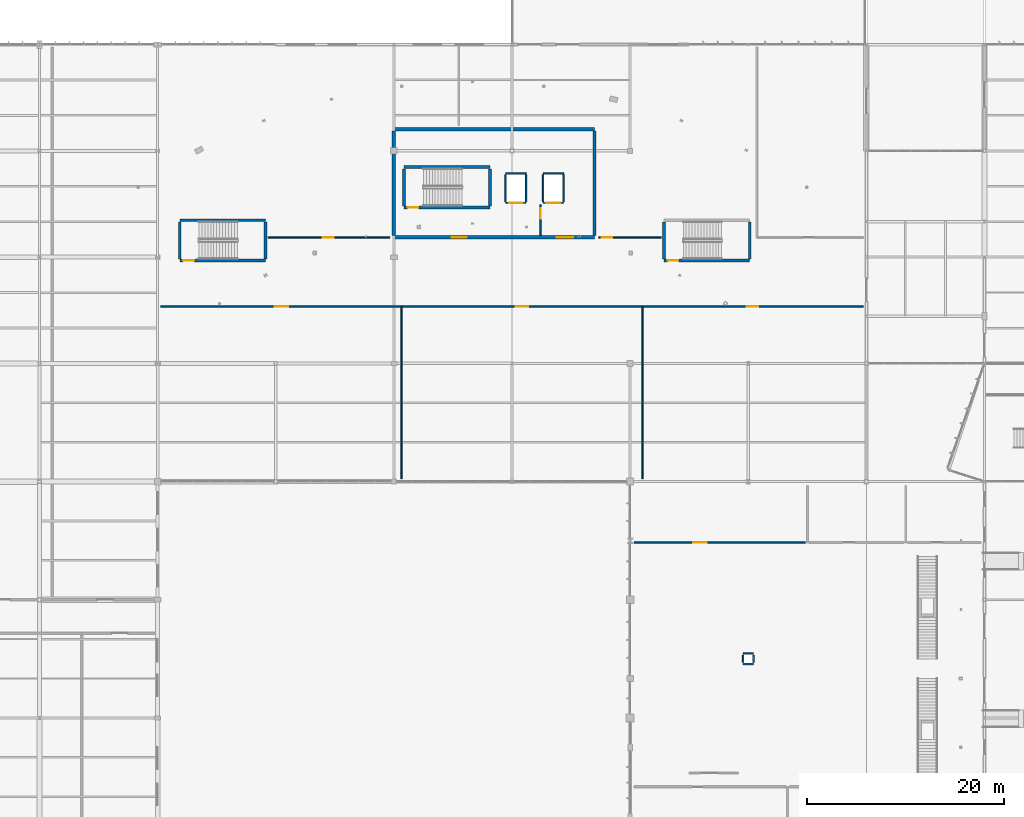
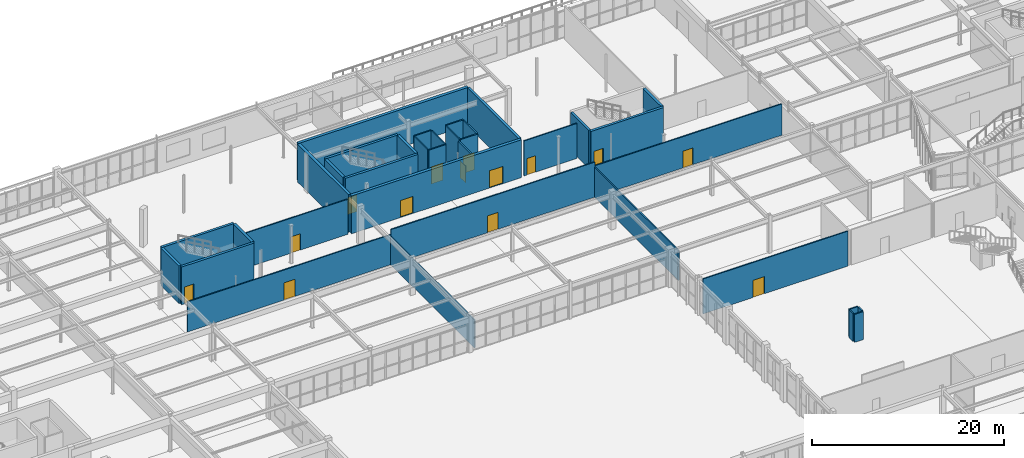
# One storey, part 165 of 199: 36 walls, 14 doors, 14 openings.
"""IFC4 building model written with IfcOpenShell, lengths in metres."""

import ifcopenshell
import ifcopenshell.guid

model = None  # the IFC model being written
_history = None  # IfcOwnerHistory: only IFC2X3 demands one
_inside = {}  # id of a spatial element -> (the spatial element, [elements in it])
_under = {}  # id of a project, library or spatial element -> (it, [spatial elements below it])
_declared = {}  # id of a project -> (the project, [libraries it declares])
_typed = {}  # id of a type object -> (the type object, [elements of that type])
_made_of = {}  # id of a material, layer set ... -> (it, [elements and type objects made of it])


def new_model(schema):
    """Start an empty IFC model of exactly this schema.

    Asked for "IFC4X3", IfcOpenShell would pick the latest addendum, in which some entities
    have other attributes; the version numbers below select the first issue.
    IFC2X3 requires an IfcOwnerHistory on every rooted entity: one is made here for all.
    """
    global model, _history
    if schema == "IFC4X3":
        model = ifcopenshell.file(schema_version=(4, 3, 0, 0))
    else:
        model = ifcopenshell.file(schema=schema)
    _inside.clear()
    _under.clear()
    _declared.clear()
    _typed.clear()
    _made_of.clear()
    _history = None
    if model.schema == "IFC2X3":
        org = make("IfcOrganization", Name="unknown")
        user = make(
            "IfcPersonAndOrganization",
            ThePerson=make("IfcPerson", FamilyName="unknown"),
            TheOrganization=org,
        )
        app = make(
            "IfcApplication",
            ApplicationDeveloper=org,
            Version="unknown",
            ApplicationFullName="unknown",
            ApplicationIdentifier="unknown",
        )
        _history = make(
            "IfcOwnerHistory",
            OwningUser=user,
            OwningApplication=app,
            ChangeAction="ADDED",
            CreationDate=0,
        )
    return model


def make(cls, **values):
    """One entity of the class cls with the attributes given. An attribute that is None is left unset."""
    return model.create_entity(
        cls, **{name: value for name, value in values.items() if value is not None}
    )


def rooted(cls, **values):
    """An entity with a GlobalId (a new one), such as an element, a storey or a relation."""
    return make(cls, GlobalId=ifcopenshell.guid.new(), OwnerHistory=_history, **values)


def si_unit(unit_type, name, prefix=None):
    """IfcSIUnit, for example si_unit("LENGTHUNIT", "METRE", prefix="MILLI")."""
    return make("IfcSIUnit", UnitType=unit_type, Prefix=prefix, Name=name)


def assignment(units):
    """IfcUnitAssignment: the units of a project."""
    return None if units is None else make("IfcUnitAssignment", Units=units)


def point(xyz):
    """IfcCartesianPoint."""
    return None if xyz is None else make("IfcCartesianPoint", Coordinates=xyz)


def direction(xyz):
    """IfcDirection."""
    return None if xyz is None else make("IfcDirection", DirectionRatios=xyz)


def frame(location, z_axis=None, x_axis=None):
    """IfcAxis2Placement3D, a coordinate frame: its origin and axes. An axis left out is left unset."""
    return make(
        "IfcAxis2Placement3D",
        Location=point(location),
        Axis=direction(z_axis),
        RefDirection=direction(x_axis),
    )


def frame_2d(location, x_axis=None):
    """IfcAxis2Placement2D, a coordinate frame in the plane: its origin and x axis."""
    return make(
        "IfcAxis2Placement2D", Location=point(location), RefDirection=direction(x_axis)
    )


def origin():
    """The frame at (0, 0, 0) with its axes left unset."""
    return frame((0.0, 0.0, 0.0))


def place(relative_to, where):
    """IfcLocalPlacement: puts the frame where relative to a parent placement (None: the world)."""
    return make(
        "IfcLocalPlacement", PlacementRelTo=relative_to, RelativePlacement=where
    )


def context(
    kind, dimensions, precision=None, world=None, true_north=None, identifier=None
):
    """IfcGeometricRepresentationContext, for example the 3D "Model" context."""
    return make(
        "IfcGeometricRepresentationContext",
        ContextIdentifier=identifier,
        ContextType=kind,
        CoordinateSpaceDimension=dimensions,
        Precision=precision,
        WorldCoordinateSystem=world,
        TrueNorth=true_north,
    )


def subcontext(parent, identifier, kind, view, scale=None):
    """IfcGeometricRepresentationSubContext, for example "Body" below "Model"."""
    return make(
        "IfcGeometricRepresentationSubContext",
        ContextIdentifier=identifier,
        ContextType=kind,
        ParentContext=parent,
        TargetScale=scale,
        TargetView=view,
    )


def project(units=None, contexts=None):
    """IfcProject with its units and contexts."""
    return rooted(
        "IfcProject",
        Name="project",
        RepresentationContexts=contexts,
        UnitsInContext=assignment(units),
    )


def spatial(cls, under=None, at=None, **own):
    """A site, building, storey or space (cls), placed at a placement, below another one or the project."""
    s = rooted(cls, ObjectPlacement=at, **own)
    if under is not None:
        _under.setdefault(under.id(), (under, []))[1].append(s)
    return s


def profile(cls, at=None, kind="AREA", **sizes):
    """A parametric profile (cls). Its sizes go by their IFC names, for example OverallWidth=200.0."""
    return make(cls, ProfileType=kind, Position=at, **sizes)


def rectangle(**sizes):
    """IfcRectangleProfileDef."""
    return profile("IfcRectangleProfileDef", **sizes)


def extrude(swept, where, along, depth):
    """IfcExtrudedAreaSolid: the profile swept, set in the frame where, extruded along a direction by depth."""
    return make(
        "IfcExtrudedAreaSolid",
        SweptArea=swept,
        Position=where,
        ExtrudedDirection=direction(along),
        Depth=depth,
    )


def shape(context_of_items, identifier, shape_type, items):
    """IfcShapeRepresentation: the items that make up one representation, for example the "Body"."""
    return make(
        "IfcShapeRepresentation",
        ContextOfItems=context_of_items,
        RepresentationIdentifier=identifier,
        RepresentationType=shape_type,
        Items=items,
    )


def material(Name=None, Category=None):
    """IfcMaterial."""
    return make("IfcMaterial", Name=Name, Category=Category)


def layer(
    of_material, thickness, ventilated=None, Name=None, Category=None, Priority=None
):
    """IfcMaterialLayer: one layer of a wall or slab, of a material (None: an air gap)."""
    return make(
        "IfcMaterialLayer",
        Material=of_material,
        LayerThickness=thickness,
        IsVentilated=ventilated,
        Name=Name,
        Category=Category,
        Priority=Priority,
    )


def layer_set(layers, Name=None):
    """IfcMaterialLayerSet."""
    return make("IfcMaterialLayerSet", MaterialLayers=layers, LayerSetName=Name)


def made_of(thing, what):
    """Note that an element or type object is made of a material, layer set ...; save() writes the relation."""
    if what is not None:
        _made_of.setdefault(what.id(), (what, []))[1].append(thing)
    return thing


def type_object(cls, material=None, **own):
    """A type object (cls), such as IfcWallType, which elements share."""
    return made_of(rooted(cls, **own), material)


def element(
    cls,
    number,
    at=None,
    inside=None,
    cuts=None,
    type_object=None,
    material=None,
    context=None,
    identifier="Body",
    shape_type=None,
    held_by="IfcProductDefinitionShape",
    body=None,
    shapes=None,
    **own,
):
    """One element of the class cls, such as IfcWall. Its Tag is "e" and its number.

    at: its placement. inside: the storey or other place that contains it. cuts: it is an
    opening in that element (IfcRelVoidsElement). A single representation is given by context,
    identifier, shape_type and body (its items); several are given by shapes. held_by: the class
    of the entity that holds the representations. save() writes the other relations.
    """
    e = rooted(cls, Tag="e%d" % number, ObjectPlacement=at, **own)
    if body is not None:
        shapes = [shape(context, identifier, shape_type, body)]
    if shapes is not None:
        e.Representation = make(held_by, Representations=shapes)
    if inside is not None:
        _inside.setdefault(inside.id(), (inside, []))[1].append(e)
    if cuts is not None:
        rooted(
            "IfcRelVoidsElement", RelatingBuildingElement=cuts, RelatedOpeningElement=e
        )
    if type_object is not None:
        _typed.setdefault(type_object.id(), (type_object, []))[1].append(e)
    return made_of(e, material)


def fill(opening, filler):
    """IfcRelFillsElement: the door or window that sits in an opening."""
    return rooted(
        "IfcRelFillsElement",
        RelatingOpeningElement=opening,
        RelatedBuildingElement=filler,
    )


def aggregate(whole, parts):
    """IfcRelAggregates: a whole, such as a stair, and the parts it consists of."""
    return rooted("IfcRelAggregates", RelatingObject=whole, RelatedObjects=parts)


def save(model, path):
    """Write the relations noted so far, then the file.

    IfcRelAggregates (storeys below a building ...), IfcRelContainedInSpatialStructure (elements
    in a storey), IfcRelDefinesByType, IfcRelAssociatesMaterial and IfcRelDeclares: one each for
    every whole, place, type object, material and project.
    """
    for whole, parts in _under.values():
        aggregate(whole, parts)
    for where, things in _inside.values():
        rooted(
            "IfcRelContainedInSpatialStructure",
            RelatedElements=things,
            RelatingStructure=where,
        )
    for kind, things in _typed.values():
        rooted("IfcRelDefinesByType", RelatedObjects=things, RelatingType=kind)
    for what, things in _made_of.values():
        rooted("IfcRelAssociatesMaterial", RelatedObjects=things, RelatingMaterial=what)
    for by, libraries in _declared.values():
        rooted("IfcRelDeclares", RelatingContext=by, RelatedDefinitions=libraries)
    model.write(path)


model = new_model("IFC4")

# Units and contexts
model_context = context("Model", 3, precision=1e-05, world=origin(), true_north=direction((0.0, 1.0)))
body_context = subcontext(model_context, "Body", "Model", "MODEL_VIEW")
ifc_project = project(units=[si_unit("LENGTHUNIT", "METRE"), si_unit("AREAUNIT", "SQUARE_METRE"), si_unit("VOLUMEUNIT", "CUBIC_METRE"), si_unit("PLANEANGLEUNIT", "RADIAN"), si_unit("MASSUNIT", "GRAM", prefix="KILO")], contexts=[model_context])

# Site, building, storey
site_placement = place(None, origin())
site = spatial("IfcSite", under=ifc_project, at=site_placement, CompositionType="ELEMENT")
building_placement = place(site_placement, origin())
building = spatial("IfcBuilding", under=site, at=building_placement, Name="Tarnwether General Hospital", CompositionType="ELEMENT")
storey_placement = place(building_placement, origin())
storey = spatial("IfcBuildingStorey", under=building, at=storey_placement, Name="L00", CompositionType="ELEMENT", Elevation=0.0)

# Wall, opening, door
ifc_material_1 = material(Name="Gypsum plasterboard")
ifc_layer_1 = layer(ifc_material_1, 0.139892578125)
ifc_layer_set_1 = layer_set([ifc_layer_1], Name="Gypsum plasterboard")
wall_type_1 = type_object("IfcWallType", Name="WL-PT140", PredefinedType="PARTITIONING", material=ifc_layer_set_1)
wall_1_placement = place(storey_placement, frame((108.39990234375, 75.39990234375, 0.0), z_axis=(0.0, 0.0, 1.0), x_axis=(1.0, 0.0, 0.0)))
wall_1 = element("IfcWall", 1, at=wall_1_placement, inside=storey, type_object=wall_type_1, Name="Interior Partition PT-L00-0058", PredefinedType="PARTITIONING", context=body_context, shape_type="SweptSolid", body=[
    extrude(rectangle(XDim=17.400146484375, YDim=0.139892578125, at=frame_2d((8.7001953125, 0.0))), origin(), (0.0, 0.0, 1.0), 4.445068359375),
])
opening_1_placement = place(wall_1_placement, frame((6.0, 0.0, 0.0)))
opening_1 = element("IfcOpeningElement", 2, at=opening_1_placement, cuts=wall_1, Name="Opening D-02", PredefinedType="OPENING", context=body_context, shape_type="SweptSolid", body=[
    extrude(rectangle(XDim=1.360107421875, YDim=2.179931640625, at=frame_2d((0.68017578125, 1.08984375))), frame((0.0, 0.080078125, 0.0), z_axis=(0.0, -1.0, 0.0), x_axis=(1.0, 0.0, 0.0)), (0.0, 0.0, 1.0), 0.159912109375),
])
ifc_material_2 = material(Name="Anodised aluminium", Category="aluminium")
door_type_1 = type_object("IfcDoorType", Name="DR-IN02", OperationType="NOTDEFINED", PredefinedType="DOOR", material=ifc_material_2)
door_1_placement = place(opening_1_placement, origin())
door_1 = element("IfcDoor", 3, at=door_1_placement, inside=storey, type_object=door_type_1, Name="Interior Door DR-L00-0034", OperationType="SINGLE_SWING_RIGHT", OverallHeight=2.179931640625, OverallWidth=1.360107421875, PredefinedType="DOOR", context=body_context, shape_type="SweptSolid", body=[
    extrude(rectangle(XDim=1.360107421875, YDim=2.179931640625, at=frame_2d((0.68017578125, 1.08984375))), frame((0.0, 0.02490234375, 0.0), z_axis=(0.0, -1.0, 0.0), x_axis=(1.0, 0.0, 0.0)), (0.0, 0.0, 1.0), 0.050048828125),
])
fill(opening_1, door_1)

wall_2_placement = place(storey_placement, frame((60.300048828125, 99.39990234375, 0.0), z_axis=(0.0, 0.0, 1.0), x_axis=(1.0, 0.0, 0.0)))
wall_2 = element("IfcWall", 4, at=wall_2_placement, inside=storey, type_object=wall_type_1, Name="Interior Partition PT-L00-0120", PredefinedType="PARTITIONING", context=body_context, shape_type="SweptSolid", body=[
    extrude(rectangle(XDim=24.47998046875, YDim=0.139892578125, at=frame_2d((12.239990234375, 0.0))), origin(), (0.0, 0.0, 1.0), 3.818115234375),
])
opening_2_placement = place(wall_2_placement, frame((11.590087890625, 0.0, 0.0)))
opening_2 = element("IfcOpeningElement", 5, at=opening_2_placement, cuts=wall_2, Name="Opening D-02", PredefinedType="OPENING", context=body_context, shape_type="SweptSolid", body=[
    extrude(rectangle(XDim=1.360107421875, YDim=2.179931640625, at=frame_2d((0.68017578125, 1.08984375))), frame((0.0, 0.080078125, 0.0), z_axis=(0.0, -1.0, 0.0), x_axis=(1.0, 0.0, 0.0)), (0.0, 0.0, 1.0), 0.159912109375),
])
door_2_placement = place(opening_2_placement, origin())
door_2 = element("IfcDoor", 6, at=door_2_placement, inside=storey, type_object=door_type_1, Name="Interior Door DR-L00-0067", OperationType="SINGLE_SWING_LEFT", OverallHeight=2.179931640625, OverallWidth=1.360107421875, PredefinedType="DOOR", context=body_context, shape_type="SweptSolid", body=[
    extrude(rectangle(XDim=1.360107421875, YDim=2.179931640625, at=frame_2d((0.68017578125, 1.08984375))), frame((0.0, 0.02490234375, 0.0), z_axis=(0.0, -1.0, 0.0), x_axis=(1.0, 0.0, 0.0)), (0.0, 0.0, 1.0), 0.050048828125),
])
fill(opening_2, door_2)

# Wall
wall_3_placement = place(storey_placement, frame((84.780029296875, 81.89990234375, 0.0), z_axis=(0.0, 0.0, 1.0), x_axis=(0.0, 1.0, 0.0)))
element("IfcWall", 7, at=wall_3_placement, inside=storey, type_object=wall_type_1, Name="Interior Partition PT-L00-0121", PredefinedType="PARTITIONING", context=body_context, shape_type="SweptSolid", body=[
    extrude(rectangle(XDim=17.5, YDim=0.139892578125, at=frame_2d((8.75, 0.0))), origin(), (0.0, 0.0, 1.0), 3.530029296875),
])

# Wall, opening, door
wall_4_placement = place(storey_placement, frame((84.780029296875, 99.39990234375, 0.0), z_axis=(0.0, 0.0, 1.0), x_axis=(1.0, 0.0, 0.0)))
wall_4 = element("IfcWall", 8, at=wall_4_placement, inside=storey, type_object=wall_type_1, Name="Interior Partition PT-L00-0122", PredefinedType="PARTITIONING", context=body_context, shape_type="SweptSolid", body=[
    extrude(rectangle(XDim=24.47998046875, YDim=0.139892578125, at=frame_2d((12.239990234375, 0.0))), origin(), (0.0, 0.0, 1.0), 4.445068359375),
])
opening_3_placement = place(wall_4_placement, frame((11.590087890625, 0.0, 0.0)))
opening_3 = element("IfcOpeningElement", 9, at=opening_3_placement, cuts=wall_4, Name="Opening D-04", PredefinedType="OPENING", context=body_context, shape_type="SweptSolid", body=[
    extrude(rectangle(XDim=1.260009765625, YDim=2.139892578125, at=frame_2d((0.6298828125, 1.06982421875))), frame((0.0, 0.080078125, 0.0), z_axis=(0.0, -1.0, 0.0), x_axis=(1.0, 0.0, 0.0)), (0.0, 0.0, 1.0), 0.159912109375),
])
ifc_material_3 = material(Name="Anodised aluminium", Category="aluminium")
door_type_2 = type_object("IfcDoorType", Name="DR-IN04", OperationType="NOTDEFINED", PredefinedType="DOOR", material=ifc_material_3)
door_3_placement = place(opening_3_placement, origin())
door_3 = element("IfcDoor", 10, at=door_3_placement, inside=storey, type_object=door_type_2, Name="Interior Door DR-L00-0068", OperationType="SINGLE_SWING_RIGHT", OverallHeight=2.139892578125, OverallWidth=1.260009765625, PredefinedType="DOOR", context=body_context, shape_type="SweptSolid", body=[
    extrude(rectangle(XDim=1.260009765625, YDim=2.139892578125, at=frame_2d((0.6298828125, 1.06982421875))), frame((0.0, 0.02490234375, 0.0), z_axis=(0.0, -1.0, 0.0), x_axis=(1.0, 0.0, 0.0)), (0.0, 0.0, 1.0), 0.050048828125),
])
fill(opening_3, door_3)

# Wall
wall_5_placement = place(storey_placement, frame((109.260009765625, 81.89990234375, 0.0), z_axis=(0.0, 0.0, 1.0), x_axis=(0.0, 1.0, 0.0)))
element("IfcWall", 11, at=wall_5_placement, inside=storey, type_object=wall_type_1, Name="Interior Partition PT-L00-0123", PredefinedType="PARTITIONING", context=body_context, shape_type="SweptSolid", body=[
    extrude(rectangle(XDim=17.5, YDim=0.139892578125, at=frame_2d((8.75, 0.0))), origin(), (0.0, 0.0, 1.0), 3.818115234375),
])

# Wall, opening, door
wall_6_placement = place(storey_placement, frame((109.260009765625, 99.39990234375, 0.0), z_axis=(0.0, 0.0, 1.0), x_axis=(1.0, 0.0, 0.0)))
wall_6 = element("IfcWall", 12, at=wall_6_placement, inside=storey, type_object=wall_type_1, Name="Interior Partition PT-L00-0124", PredefinedType="PARTITIONING", context=body_context, shape_type="SweptSolid", body=[
    extrude(rectangle(XDim=22.43994140625, YDim=0.139892578125, at=frame_2d((11.219970703125, 0.0))), origin(), (0.0, 0.0, 1.0), 3.972900390625),
])
opening_4_placement = place(wall_6_placement, frame((10.570068359375, 0.0, 0.0)))
opening_4 = element("IfcOpeningElement", 13, at=opening_4_placement, cuts=wall_6, Name="Opening D-05", PredefinedType="OPENING", context=body_context, shape_type="SweptSolid", body=[
    extrude(rectangle(XDim=1.199951171875, YDim=2.1201171875, at=frame_2d((0.60009765625, 1.06005859375))), frame((0.0, 0.080078125, 0.0), z_axis=(0.0, -1.0, 0.0), x_axis=(1.0, 0.0, 0.0)), (0.0, 0.0, 1.0), 0.159912109375),
])
ifc_material_4 = material(Name="Anodised aluminium", Category="aluminium")
door_type_3 = type_object("IfcDoorType", Name="DR-IN05", OperationType="NOTDEFINED", PredefinedType="DOOR", material=ifc_material_4)
door_4_placement = place(opening_4_placement, origin())
door_4 = element("IfcDoor", 14, at=door_4_placement, inside=storey, type_object=door_type_3, Name="Interior Door DR-L00-0069", OperationType="SINGLE_SWING_LEFT", OverallHeight=2.1201171875, OverallWidth=1.199951171875, PredefinedType="DOOR", context=body_context, shape_type="SweptSolid", body=[
    extrude(rectangle(XDim=1.199951171875, YDim=2.1201171875, at=frame_2d((0.60009765625, 1.06005859375))), frame((0.0, 0.02490234375, 0.0), z_axis=(0.0, -1.0, 0.0), x_axis=(1.0, 0.0, 0.0)), (0.0, 0.0, 1.0), 0.050048828125),
])
fill(opening_4, door_4)

wall_7_placement = place(storey_placement, frame((71.25, 106.39990234375, 0.0), z_axis=(0.0, 0.0, 1.0), x_axis=(1.0, 0.0, 0.0)))
wall_7 = element("IfcWall", 15, at=wall_7_placement, inside=storey, type_object=wall_type_1, Name="Interior Partition PT-L00-0125", PredefinedType="PARTITIONING", context=body_context, shape_type="SweptSolid", body=[
    extrude(rectangle(XDim=12.35009765625, YDim=0.139892578125, at=frame_2d((6.175048828125, 0.0))), origin(), (0.0, 0.0, 1.0), 4.445068359375),
])
opening_5_placement = place(wall_7_placement, frame((5.52490234375, 0.0, 0.0)))
opening_5 = element("IfcOpeningElement", 16, at=opening_5_placement, cuts=wall_7, Name="Opening D-07", PredefinedType="OPENING", context=body_context, shape_type="SweptSolid", body=[
    extrude(rectangle(XDim=1.1201171875, YDim=2.080078125, at=frame_2d((0.56005859375, 1.0400390625))), frame((0.0, 0.080078125, 0.0), z_axis=(0.0, -1.0, 0.0), x_axis=(1.0, 0.0, 0.0)), (0.0, 0.0, 1.0), 0.159912109375),
])
ifc_material_5 = material(Name="Anodised aluminium", Category="aluminium")
door_type_4 = type_object("IfcDoorType", Name="DR-IN07", OperationType="NOTDEFINED", PredefinedType="DOOR", material=ifc_material_5)
door_5_placement = place(opening_5_placement, origin())
door_5 = element("IfcDoor", 17, at=door_5_placement, inside=storey, type_object=door_type_4, Name="Interior Door DR-L00-0070", OperationType="SINGLE_SWING_RIGHT", OverallHeight=2.080078125, OverallWidth=1.1201171875, PredefinedType="DOOR", context=body_context, shape_type="SweptSolid", body=[
    extrude(rectangle(XDim=1.1201171875, YDim=2.080078125, at=frame_2d((0.56005859375, 1.0400390625))), frame((0.0, 0.02490234375, 0.0), z_axis=(0.0, -1.0, 0.0), x_axis=(1.0, 0.0, 0.0)), (0.0, 0.0, 1.0), 0.050048828125),
])
fill(opening_5, door_5)

wall_8_placement = place(storey_placement, frame((104.800048828125, 106.39990234375, 0.0), z_axis=(0.0, 0.0, 1.0), x_axis=(1.0, 0.0, 0.0)))
wall_8 = element("IfcWall", 18, at=wall_8_placement, inside=storey, type_object=wall_type_1, Name="Interior Partition PT-L00-0127", PredefinedType="PARTITIONING", context=body_context, shape_type="SweptSolid", body=[
    extrude(rectangle(XDim=6.349853515625, YDim=0.139892578125, at=frame_2d((3.1748046875, 0.0))), origin(), (0.0, 0.0, 1.0), 4.445068359375),
])
opening_6_placement = place(wall_8_placement, frame((0.320068359375, 0.0, 0.0)))
opening_6 = element("IfcOpeningElement", 19, at=opening_6_placement, cuts=wall_8, Name="Opening D-08", PredefinedType="OPENING", context=body_context, shape_type="SweptSolid", body=[
    extrude(rectangle(XDim=1.06005859375, YDim=2.10009765625, at=frame_2d((0.530029296875, 1.050048828125))), frame((0.0, 0.080078125, 0.0), z_axis=(0.0, -1.0, 0.0), x_axis=(1.0, 0.0, 0.0)), (0.0, 0.0, 1.0), 0.159912109375),
])
ifc_material_6 = material(Name="Anodised aluminium", Category="aluminium")
door_type_5 = type_object("IfcDoorType", Name="DR-IN08", OperationType="NOTDEFINED", PredefinedType="DOOR", material=ifc_material_6)
door_6_placement = place(opening_6_placement, origin())
door_6 = element("IfcDoor", 20, at=door_6_placement, inside=storey, type_object=door_type_5, Name="Interior Door DR-L00-0071", OperationType="SINGLE_SWING_LEFT", OverallHeight=2.10009765625, OverallWidth=1.06005859375, PredefinedType="DOOR", context=body_context, shape_type="SweptSolid", body=[
    extrude(rectangle(XDim=1.06005859375, YDim=2.10009765625, at=frame_2d((0.530029296875, 1.050048828125))), frame((0.0, 0.02490234375, 0.0), z_axis=(0.0, -1.0, 0.0), x_axis=(1.0, 0.0, 0.0)), (0.0, 0.0, 1.0), 0.050048828125),
])
fill(opening_6, door_6)

# Walls
ifc_material_7 = material(Name="Gypsum plasterboard")
ifc_layer_2 = layer(ifc_material_7, 0.159912109375)
ifc_layer_set_2 = layer_set([ifc_layer_2], Name="Gypsum plasterboard")
wall_type_2 = type_object("IfcWallType", Name="WL-PT160", PredefinedType="PARTITIONING", material=ifc_layer_set_2)
for number, where, z_axis, x_axis, name in (
    (21, (119.469970703125, 63.070068359375, 0.0), (0.0, 0.0, 1.0), (1.0, 0.0, 0.0), "Service Riser Enclosure SL-L00-V1W S"),
    (22, (120.530029296875, 64.1298828125, 0.0), (0.0, 0.0, 1.0), (-1.0, 0.0, 0.0), "Service Riser Enclosure SL-L00-V1W N"),
):
    element("IfcWall", number, at=place(storey_placement, frame(where, z_axis=z_axis, x_axis=x_axis)), inside=storey, type_object=wall_type_2, Name=name, PredefinedType="PARTITIONING", context=body_context, shape_type="SweptSolid", body=[
        extrude(rectangle(XDim=1.06005859375, YDim=0.159912109375, at=frame_2d((0.530029296875, 0.0))), origin(), (0.0, 0.0, 1.0), 3.550048828125),
    ])
for number, where, z_axis, x_axis, name in (
    (23, (119.469970703125, 63.969970703125, 0.0), (0.0, 0.0, 1.0), (0.0, -1.0, 0.0), "Service Riser Enclosure SL-L00-V1W W"),
    (24, (120.530029296875, 63.22998046875, 0.0), (0.0, 0.0, 1.0), (0.0, 1.0, 0.0), "Service Riser Enclosure SL-L00-V1W E"),
):
    element("IfcWall", number, at=place(storey_placement, frame(where, z_axis=z_axis, x_axis=x_axis)), inside=storey, type_object=wall_type_2, Name=name, PredefinedType="PARTITIONING", context=body_context, shape_type="SweptSolid", body=[
        extrude(rectangle(XDim=0.739990234375, YDim=0.159912109375, at=frame_2d((0.3701171875, 0.0))), origin(), (0.0, 0.0, 1.0), 3.550048828125),
    ])

# Wall, opening, door
wall_9_placement = place(storey_placement, frame((95.360107421875, 109.909912109375, 0.0), z_axis=(0.0, 0.0, 1.0), x_axis=(1.0, 0.0, 0.0)))
wall_9 = element("IfcWall", 25, at=wall_9_placement, inside=storey, type_object=wall_type_2, Name="Lift L-01 Shaft Wall LSH-L-01-L00-S", PredefinedType="PARTITIONING", context=body_context, shape_type="SweptSolid", body=[
    extrude(rectangle(XDim=2.079833984375, YDim=0.159912109375, at=frame_2d((1.0400390625, 0.0))), origin(), (0.0, 0.0, 1.0), 4.445068359375),
])
opening_7_placement = place(wall_9_placement, frame((0.340087890625, 0.0, 0.0)))
opening_7 = element("IfcOpeningElement", 26, at=opening_7_placement, cuts=wall_9, Name="Opening LD-01", PredefinedType="OPENING", context=body_context, shape_type="SweptSolid", body=[
    extrude(rectangle(XDim=1.39990234375, YDim=2.199951171875, at=frame_2d((0.699951171875, 1.10009765625))), frame((0.0, 0.08984375, 0.0), z_axis=(0.0, -1.0, 0.0), x_axis=(1.0, 0.0, 0.0)), (0.0, 0.0, 1.0), 0.179931640625),
])
ifc_material_8 = material(Name="Anodised aluminium", Category="aluminium")
door_type_6 = type_object("IfcDoorType", Name="DR-LD01", OperationType="NOTDEFINED", PredefinedType="DOOR", material=ifc_material_8)
door_7_placement = place(opening_7_placement, origin())
door_7 = element("IfcDoor", 27, at=door_7_placement, inside=storey, type_object=door_type_6, Name="Lift L-01 Sliding Landing Door L00", OperationType="SLIDING_TO_RIGHT", OverallHeight=2.199951171875, OverallWidth=1.39990234375, PredefinedType="DOOR", context=body_context, shape_type="SweptSolid", body=[
    extrude(rectangle(XDim=1.39990234375, YDim=2.199951171875, at=frame_2d((0.699951171875, 1.10009765625))), frame((0.0, 0.02490234375, 0.0), z_axis=(0.0, -1.0, 0.0), x_axis=(1.0, 0.0, 0.0)), (0.0, 0.0, 1.0), 0.050048828125),
])
fill(opening_7, door_7)

# Walls
wall_10_placement = place(storey_placement, frame((97.43994140625, 112.889892578125, 0.0), z_axis=(0.0, 0.0, 1.0), x_axis=(-1.0, 0.0, 0.0)))
element("IfcWall", 28, at=wall_10_placement, inside=storey, type_object=wall_type_2, Name="Lift L-01 Shaft Wall LSH-L-01-L00-N", PredefinedType="PARTITIONING", context=body_context, shape_type="SweptSolid", body=[
    extrude(rectangle(XDim=2.079833984375, YDim=0.159912109375, at=frame_2d((1.0400390625, 0.0))), origin(), (0.0, 0.0, 1.0), 4.445068359375),
])
for number, where, z_axis, x_axis, name in (
    (29, (95.360107421875, 112.7900390625, 0.0), (0.0, 0.0, 1.0), (0.0, -1.0, 0.0), "Lift L-01 Shaft Wall LSH-L-01-L00-W"),
    (30, (97.43994140625, 110.010009765625, 0.0), (0.0, 0.0, 1.0), (0.0, 1.0, 0.0), "Lift L-01 Shaft Wall LSH-L-01-L00-E"),
):
    element("IfcWall", number, at=place(storey_placement, frame(where, z_axis=z_axis, x_axis=x_axis)), inside=storey, type_object=wall_type_2, Name=name, PredefinedType="PARTITIONING", context=body_context, shape_type="SweptSolid", body=[
        extrude(rectangle(XDim=2.780029296875, YDim=0.159912109375, at=frame_2d((1.39013671875, 0.0))), origin(), (0.0, 0.0, 1.0), 4.445068359375),
    ])

# Wall, opening, door
wall_11_placement = place(storey_placement, frame((99.159912109375, 109.909912109375, 0.0), z_axis=(0.0, 0.0, 1.0), x_axis=(1.0, 0.0, 0.0)))
wall_11 = element("IfcWall", 31, at=wall_11_placement, inside=storey, type_object=wall_type_2, Name="Lift L-03 Shaft Wall LSH-L-03-L00-S", PredefinedType="PARTITIONING", context=body_context, shape_type="SweptSolid", body=[
    extrude(rectangle(XDim=2.080078125, YDim=0.159912109375, at=frame_2d((1.0400390625, 0.0))), origin(), (0.0, 0.0, 1.0), 4.445068359375),
])
opening_8_placement = place(wall_11_placement, frame((0.340087890625, 0.0, 0.0)))
opening_8 = element("IfcOpeningElement", 32, at=opening_8_placement, cuts=wall_11, Name="Opening LD-01", PredefinedType="OPENING", context=body_context, shape_type="SweptSolid", body=[
    extrude(rectangle(XDim=1.39990234375, YDim=2.199951171875, at=frame_2d((0.699951171875, 1.10009765625))), frame((0.0, 0.08984375, 0.0), z_axis=(0.0, -1.0, 0.0), x_axis=(1.0, 0.0, 0.0)), (0.0, 0.0, 1.0), 0.179931640625),
])
door_8_placement = place(opening_8_placement, origin())
door_8 = element("IfcDoor", 33, at=door_8_placement, inside=storey, type_object=door_type_6, Name="Lift L-03 Sliding Landing Door L00", OperationType="SLIDING_TO_RIGHT", OverallHeight=2.199951171875, OverallWidth=1.39990234375, PredefinedType="DOOR", context=body_context, shape_type="SweptSolid", body=[
    extrude(rectangle(XDim=1.39990234375, YDim=2.199951171875, at=frame_2d((0.699951171875, 1.10009765625))), frame((0.0, 0.02490234375, 0.0), z_axis=(0.0, -1.0, 0.0), x_axis=(1.0, 0.0, 0.0)), (0.0, 0.0, 1.0), 0.050048828125),
])
fill(opening_8, door_8)

# Walls
wall_12_placement = place(storey_placement, frame((101.239990234375, 112.889892578125, 0.0), z_axis=(0.0, 0.0, 1.0), x_axis=(-1.0, 0.0, 0.0)))
element("IfcWall", 34, at=wall_12_placement, inside=storey, type_object=wall_type_2, Name="Lift L-03 Shaft Wall LSH-L-03-L00-N", PredefinedType="PARTITIONING", context=body_context, shape_type="SweptSolid", body=[
    extrude(rectangle(XDim=2.080078125, YDim=0.159912109375, at=frame_2d((1.0400390625, 0.0))), origin(), (0.0, 0.0, 1.0), 4.445068359375),
])
for number, where, z_axis, x_axis, name in (
    (35, (99.159912109375, 112.7900390625, 0.0), (0.0, 0.0, 1.0), (0.0, -1.0, 0.0), "Lift L-03 Shaft Wall LSH-L-03-L00-W"),
    (36, (101.239990234375, 110.010009765625, 0.0), (0.0, 0.0, 1.0), (0.0, 1.0, 0.0), "Lift L-03 Shaft Wall LSH-L-03-L00-E"),
):
    element("IfcWall", number, at=place(storey_placement, frame(where, z_axis=z_axis, x_axis=x_axis)), inside=storey, type_object=wall_type_2, Name=name, PredefinedType="PARTITIONING", context=body_context, shape_type="SweptSolid", body=[
        extrude(rectangle(XDim=2.780029296875, YDim=0.159912109375, at=frame_2d((1.39013671875, 0.0))), origin(), (0.0, 0.0, 1.0), 4.445068359375),
    ])

# Wall, opening, door
wall_13_placement = place(storey_placement, frame((98.89990234375, 106.64990234375, 0.0), z_axis=(0.0, 0.0, 1.0), x_axis=(0.0, 1.0, 0.0)))
wall_13 = element("IfcWall", 37, at=wall_13_placement, inside=storey, type_object=wall_type_2, Name="Firefighting Lobby Divider K1 L00", PredefinedType="PARTITIONING", context=body_context, shape_type="SweptSolid", body=[
    extrude(rectangle(XDim=3.050048828125, YDim=0.159912109375, at=frame_2d((1.52490234375, 0.0))), origin(), (0.0, 0.0, 1.0), 4.445068359375),
])
opening_9_placement = place(wall_13_placement, frame((1.6298828125, 0.0, 0.0)))
opening_9 = element("IfcOpeningElement", 38, at=opening_9_placement, cuts=wall_13, Name="Opening FD-06", PredefinedType="OPENING", context=body_context, shape_type="SweptSolid", body=[
    extrude(rectangle(XDim=1.10009765625, YDim=2.14990234375, at=frame_2d((0.550048828125, 1.074951171875))), frame((0.0, 0.08984375, 0.0), z_axis=(0.0, -1.0, 0.0), x_axis=(1.0, 0.0, 0.0)), (0.0, 0.0, 1.0), 0.179931640625),
])
ifc_material_9 = material(Name="Anodised aluminium", Category="aluminium")
door_type_7 = type_object("IfcDoorType", Name="DR-FD06", OperationType="NOTDEFINED", PredefinedType="DOOR", material=ifc_material_9)
door_9_placement = place(opening_9_placement, origin())
door_9 = element("IfcDoor", 39, at=door_9_placement, inside=storey, type_object=door_type_7, Name="Core K1 Inter-Lobby Smoke Door L00", OperationType="SINGLE_SWING_RIGHT", OverallHeight=2.14990234375, OverallWidth=1.10009765625, PredefinedType="DOOR", context=body_context, shape_type="SweptSolid", body=[
    extrude(rectangle(XDim=1.10009765625, YDim=2.14990234375, at=frame_2d((0.550048828125, 1.074951171875))), frame((0.0, 0.02490234375, 0.0), z_axis=(0.0, -1.0, 0.0), x_axis=(1.0, 0.0, 0.0)), (0.0, 0.0, 1.0), 0.050048828125),
])
fill(opening_9, door_9)

# Wall
ifc_material_10 = material(Name="Concrete 50 MPa", Category="concrete")
ifc_layer_3 = layer(ifc_material_10, 0.300048828125)
ifc_layer_set_3 = layer_set([ifc_layer_3], Name="Concrete 50 MPa")
wall_type_3 = type_object("IfcWallType", Name="WL-SW300", PredefinedType="SHEAR", material=ifc_layer_set_3)
wall_14_placement = place(storey_placement, frame((104.39990234375, 117.199951171875, 0.0), z_axis=(0.0, 0.0, 1.0), x_axis=(0.0, -1.0, 0.0)))
element("IfcWall", 40, at=wall_14_placement, inside=storey, type_object=wall_type_3, Name="Core Shear Wall CWALL-K1-L00-E", PredefinedType="SHEAR", context=body_context, shape_type="SweptSolid", body=[
    extrude(rectangle(XDim=10.599853515625, YDim=0.300048828125, at=frame_2d((5.2998046875, 0.0))), origin(), (0.0, 0.0, 1.0), 4.800048828125),
])

# Wall, opening, door
wall_15_placement = place(storey_placement, frame((85.050048828125, 109.449951171875, 0.0), z_axis=(0.0, 0.0, 1.0), x_axis=(1.0, 0.0, 0.0)))
wall_15 = element("IfcWall", 41, at=wall_15_placement, inside=storey, type_object=wall_type_3, Name="Stairwell Shear Wall STW-ST-01-L00-B", PredefinedType="SHEAR", context=body_context, shape_type="SweptSolid", body=[
    extrude(rectangle(XDim=8.699951171875, YDim=0.300048828125, at=frame_2d((4.35009765625, 0.0))), origin(), (0.0, 0.0, 1.0), 4.800048828125),
])
opening_10_placement = place(wall_15_placement, frame((0.35009765625, 0.0, 0.0)))
opening_10 = element("IfcOpeningElement", 42, at=opening_10_placement, cuts=wall_15, Name="Opening FD-06", PredefinedType="OPENING", context=body_context, shape_type="SweptSolid", body=[
    extrude(rectangle(XDim=1.10009765625, YDim=2.14990234375, at=frame_2d((0.550048828125, 1.074951171875))), frame((0.0, 0.16015625, 0.0), z_axis=(0.0, -1.0, 0.0), x_axis=(1.0, 0.0, 0.0)), (0.0, 0.0, 1.0), 0.320068359375),
])
door_10_placement = place(opening_10_placement, origin())
door_10 = element("IfcDoor", 43, at=door_10_placement, inside=storey, type_object=door_type_7, Name="Stairwell ST-01 Safe-Path Fire Door L00", OperationType="SINGLE_SWING_LEFT", OverallHeight=2.14990234375, OverallWidth=1.10009765625, PredefinedType="DOOR", context=body_context, shape_type="SweptSolid", body=[
    extrude(rectangle(XDim=1.10009765625, YDim=2.14990234375, at=frame_2d((0.550048828125, 1.074951171875))), frame((0.0, 0.02490234375, 0.0), z_axis=(0.0, -1.0, 0.0), x_axis=(1.0, 0.0, 0.0)), (0.0, 0.0, 1.0), 0.050048828125),
])
fill(opening_10, door_10)

# Walls
wall_16_placement = place(storey_placement, frame((93.75, 113.550048828125, 0.0), z_axis=(0.0, 0.0, 1.0), x_axis=(-1.0, 0.0, 0.0)))
element("IfcWall", 44, at=wall_16_placement, inside=storey, type_object=wall_type_3, Name="Stairwell Shear Wall STW-ST-01-L00-N", PredefinedType="SHEAR", context=body_context, shape_type="SweptSolid", body=[
    extrude(rectangle(XDim=8.699951171875, YDim=0.300048828125, at=frame_2d((4.35009765625, 0.0))), origin(), (0.0, 0.0, 1.0), 4.800048828125),
])
for number, where, z_axis, x_axis, name in (
    (45, (85.050048828125, 109.6201171875, 0.0), (0.0, 0.0, 1.0), (0.0, 1.0, 0.0), "Stairwell Shear Wall STW-ST-01-L00-L"),
    (46, (93.75, 109.6201171875, 0.0), (0.0, 0.0, 1.0), (0.0, 1.0, 0.0), "Stairwell Shear Wall STW-ST-01-L00-F"),
):
    element("IfcWall", number, at=place(storey_placement, frame(where, z_axis=z_axis, x_axis=x_axis)), inside=storey, type_object=wall_type_3, Name=name, PredefinedType="SHEAR", context=body_context, shape_type="SweptSolid", body=[
        extrude(rectangle(XDim=3.759765625, YDim=0.300048828125, at=frame_2d((1.8798828125, 0.0))), origin(), (0.0, 0.0, 1.0), 4.800048828125),
    ])

# Wall, opening, door
wall_17_placement = place(storey_placement, frame((62.25, 104.050048828125, 0.0), z_axis=(0.0, 0.0, 1.0), x_axis=(1.0, 0.0, 0.0)))
wall_17 = element("IfcWall", 47, at=wall_17_placement, inside=storey, type_object=wall_type_3, Name="Stairwell Shear Wall STW-ST-07-L00-B", PredefinedType="SHEAR", context=body_context, shape_type="SweptSolid", body=[
    extrude(rectangle(XDim=8.699951171875, YDim=0.300048828125, at=frame_2d((4.35009765625, 0.0))), origin(), (0.0, 0.0, 1.0), 4.800048828125),
])
opening_11_placement = place(wall_17_placement, frame((0.35009765625, 0.0, 0.0)))
opening_11 = element("IfcOpeningElement", 48, at=opening_11_placement, cuts=wall_17, Name="Opening FD-06", PredefinedType="OPENING", context=body_context, shape_type="SweptSolid", body=[
    extrude(rectangle(XDim=1.10009765625, YDim=2.14990234375, at=frame_2d((0.550048828125, 1.074951171875))), frame((0.0, 0.16015625, 0.0), z_axis=(0.0, -1.0, 0.0), x_axis=(1.0, 0.0, 0.0)), (0.0, 0.0, 1.0), 0.320068359375),
])
door_11_placement = place(opening_11_placement, origin())
door_11 = element("IfcDoor", 49, at=door_11_placement, inside=storey, type_object=door_type_7, Name="Stairwell ST-07 Safe-Path Fire Door L00", OperationType="SINGLE_SWING_RIGHT", OverallHeight=2.14990234375, OverallWidth=1.10009765625, PredefinedType="DOOR", context=body_context, shape_type="SweptSolid", body=[
    extrude(rectangle(XDim=1.10009765625, YDim=2.14990234375, at=frame_2d((0.550048828125, 1.074951171875))), frame((0.0, 0.02490234375, 0.0), z_axis=(0.0, -1.0, 0.0), x_axis=(1.0, 0.0, 0.0)), (0.0, 0.0, 1.0), 0.050048828125),
])
fill(opening_11, door_11)

# Walls
wall_18_placement = place(storey_placement, frame((70.949951171875, 108.14990234375, 0.0), z_axis=(0.0, 0.0, 1.0), x_axis=(-1.0, 0.0, 0.0)))
element("IfcWall", 50, at=wall_18_placement, inside=storey, type_object=wall_type_3, Name="Stairwell Shear Wall STW-ST-07-L00-N", PredefinedType="SHEAR", context=body_context, shape_type="SweptSolid", body=[
    extrude(rectangle(XDim=8.699951171875, YDim=0.300048828125, at=frame_2d((4.35009765625, 0.0))), origin(), (0.0, 0.0, 1.0), 4.800048828125),
])
for number, where, z_axis, x_axis, name in (
    (51, (62.25, 104.219970703125, 0.0), (0.0, 0.0, 1.0), (0.0, 1.0, 0.0), "Stairwell Shear Wall STW-ST-07-L00-L"),
    (52, (70.949951171875, 104.219970703125, 0.0), (0.0, 0.0, 1.0), (0.0, 1.0, 0.0), "Stairwell Shear Wall STW-ST-07-L00-F"),
):
    element("IfcWall", number, at=place(storey_placement, frame(where, z_axis=z_axis, x_axis=x_axis)), inside=storey, type_object=wall_type_3, Name=name, PredefinedType="SHEAR", context=body_context, shape_type="SweptSolid", body=[
        extrude(rectangle(XDim=3.760009765625, YDim=0.300048828125, at=frame_2d((1.8798828125, 0.0))), origin(), (0.0, 0.0, 1.0), 4.800048828125),
    ])

# Wall, opening, door
wall_19_placement = place(storey_placement, frame((111.449951171875, 104.050048828125, 0.0), z_axis=(0.0, 0.0, 1.0), x_axis=(1.0, 0.0, 0.0)))
wall_19 = element("IfcWall", 53, at=wall_19_placement, inside=storey, type_object=wall_type_3, Name="Stairwell Shear Wall STW-ST-08-L00-B", PredefinedType="SHEAR", context=body_context, shape_type="SweptSolid", body=[
    extrude(rectangle(XDim=8.699951171875, YDim=0.300048828125, at=frame_2d((4.35009765625, 0.0))), origin(), (0.0, 0.0, 1.0), 4.800048828125),
])
opening_12_placement = place(wall_19_placement, frame((0.35009765625, 0.0, 0.0)))
opening_12 = element("IfcOpeningElement", 54, at=opening_12_placement, cuts=wall_19, Name="Opening FD-06", PredefinedType="OPENING", context=body_context, shape_type="SweptSolid", body=[
    extrude(rectangle(XDim=1.10009765625, YDim=2.14990234375, at=frame_2d((0.550048828125, 1.074951171875))), frame((0.0, 0.16015625, 0.0), z_axis=(0.0, -1.0, 0.0), x_axis=(1.0, 0.0, 0.0)), (0.0, 0.0, 1.0), 0.320068359375),
])
door_12_placement = place(opening_12_placement, origin())
door_12 = element("IfcDoor", 55, at=door_12_placement, inside=storey, type_object=door_type_7, Name="Stairwell ST-08 Safe-Path Fire Door L00", OperationType="SINGLE_SWING_RIGHT", OverallHeight=2.14990234375, OverallWidth=1.10009765625, PredefinedType="DOOR", context=body_context, shape_type="SweptSolid", body=[
    extrude(rectangle(XDim=1.10009765625, YDim=2.14990234375, at=frame_2d((0.550048828125, 1.074951171875))), frame((0.0, 0.02490234375, 0.0), z_axis=(0.0, -1.0, 0.0), x_axis=(1.0, 0.0, 0.0)), (0.0, 0.0, 1.0), 0.050048828125),
])
fill(opening_12, door_12)

# Walls
for number, where, z_axis, x_axis, name in (
    (56, (111.449951171875, 104.219970703125, 0.0), (0.0, 0.0, 1.0), (0.0, 1.0, 0.0), "Stairwell Shear Wall STW-ST-08-L00-L"),
    (57, (120.14990234375, 104.219970703125, 0.0), (0.0, 0.0, 1.0), (0.0, 1.0, 0.0), "Stairwell Shear Wall STW-ST-08-L00-F"),
):
    element("IfcWall", number, at=place(storey_placement, frame(where, z_axis=z_axis, x_axis=x_axis)), inside=storey, type_object=wall_type_3, Name=name, PredefinedType="SHEAR", context=body_context, shape_type="SweptSolid", body=[
        extrude(rectangle(XDim=3.760009765625, YDim=0.300048828125, at=frame_2d((1.8798828125, 0.0))), origin(), (0.0, 0.0, 1.0), 4.800048828125),
    ])
ifc_material_11 = material(Name="Concrete 50 MPa", Category="concrete")
ifc_layer_4 = layer(ifc_material_11, 0.35009765625)
ifc_layer_set_4 = layer_set([ifc_layer_4], Name="Concrete 50 MPa")
wall_type_4 = type_object("IfcWallType", Name="WL-SW350", PredefinedType="SHEAR", material=ifc_layer_set_4)
wall_20_placement = place(storey_placement, frame((84.0, 117.39990234375, 0.0), z_axis=(0.0, 0.0, 1.0), x_axis=(1.0, 0.0, 0.0)))
element("IfcWall", 58, at=wall_20_placement, inside=storey, type_object=wall_type_4, Name="Core Shear Wall CWALL-K1-L00-N", PredefinedType="SHEAR", context=body_context, shape_type="SweptSolid", body=[
    extrude(rectangle(XDim=20.39990234375, YDim=0.35009765625, at=frame_2d((10.199951171875, 0.0))), origin(), (0.0, 0.0, 1.0), 4.800048828125),
])

# Wall, openings, doors
wall_21_placement = place(storey_placement, frame((104.39990234375, 106.39990234375, 0.0), z_axis=(0.0, 0.0, 1.0), x_axis=(-1.0, 0.0, 0.0)))
wall_21 = element("IfcWall", 59, at=wall_21_placement, inside=storey, type_object=wall_type_4, Name="Core Shear Wall CWALL-K1-L00-S", PredefinedType="SHEAR", context=body_context, shape_type="SweptSolid", body=[
    extrude(rectangle(XDim=20.39990234375, YDim=0.35009765625, at=frame_2d((10.199951171875, 0.0))), origin(), (0.0, 0.0, 1.0), 4.800048828125),
])
opening_13_placement = place(wall_21_placement, frame((2.199951171875, 0.0, 0.0)))
opening_13 = element("IfcOpeningElement", 60, at=opening_13_placement, cuts=wall_21, Name="Opening FD-01", PredefinedType="OPENING", context=body_context, shape_type="SweptSolid", body=[
    extrude(rectangle(XDim=1.639892578125, YDim=2.199951171875, at=frame_2d((0.81982421875, 1.10009765625))), frame((0.0, 0.18505859375, 0.0), z_axis=(0.0, -1.0, 0.0), x_axis=(1.0, 0.0, 0.0)), (0.0, 0.0, 1.0), 0.3701171875),
])
opening_14_placement = place(wall_21_placement, frame((13.0, 0.0, 0.0)))
opening_14 = element("IfcOpeningElement", 61, at=opening_14_placement, cuts=wall_21, Name="Opening FD-02", PredefinedType="OPENING", context=body_context, shape_type="SweptSolid", body=[
    extrude(rectangle(XDim=1.52001953125, YDim=2.159912109375, at=frame_2d((0.760009765625, 1.080078125))), frame((0.0, 0.18505859375, 0.0), z_axis=(0.0, -1.0, 0.0), x_axis=(1.0, 0.0, 0.0)), (0.0, 0.0, 1.0), 0.3701171875),
])
ifc_material_12 = material(Name="Anodised aluminium", Category="aluminium")
door_type_8 = type_object("IfcDoorType", Name="DR-FD01", OperationType="NOTDEFINED", PredefinedType="DOOR", material=ifc_material_12)
door_13_placement = place(opening_13_placement, origin())
door_13 = element("IfcDoor", 62, at=door_13_placement, inside=storey, type_object=door_type_8, Name="Core K1 Lobby Fire Door L00", OperationType="DOUBLE_DOOR_SINGLE_SWING", OverallHeight=2.199951171875, OverallWidth=1.639892578125, PredefinedType="DOOR", context=body_context, shape_type="SweptSolid", body=[
    extrude(rectangle(XDim=1.639892578125, YDim=2.199951171875, at=frame_2d((0.81982421875, 1.10009765625))), frame((0.0, 0.02490234375, 0.0), z_axis=(0.0, -1.0, 0.0), x_axis=(1.0, 0.0, 0.0)), (0.0, 0.0, 1.0), 0.050048828125),
])
fill(opening_13, door_13)
ifc_material_13 = material(Name="Anodised aluminium", Category="aluminium")
door_type_9 = type_object("IfcDoorType", Name="DR-FD02", OperationType="NOTDEFINED", PredefinedType="DOOR", material=ifc_material_13)
door_14_placement = place(opening_14_placement, origin())
door_14 = element("IfcDoor", 63, at=door_14_placement, inside=storey, type_object=door_type_9, Name="Core K1 Firefighting Lobby Door L00", OperationType="SINGLE_SWING_LEFT", OverallHeight=2.159912109375, OverallWidth=1.52001953125, PredefinedType="DOOR", context=body_context, shape_type="SweptSolid", body=[
    extrude(rectangle(XDim=1.52001953125, YDim=2.159912109375, at=frame_2d((0.760009765625, 1.080078125))), frame((0.0, 0.02490234375, 0.0), z_axis=(0.0, -1.0, 0.0), x_axis=(1.0, 0.0, 0.0)), (0.0, 0.0, 1.0), 0.050048828125),
])
fill(opening_14, door_14)

# Wall
wall_22_placement = place(storey_placement, frame((84.0, 106.60009765625, 0.0), z_axis=(0.0, 0.0, 1.0), x_axis=(0.0, 1.0, 0.0)))
element("IfcWall", 64, at=wall_22_placement, inside=storey, type_object=wall_type_4, Name="Core Shear Wall CWALL-K1-L00-W", PredefinedType="SHEAR", context=body_context, shape_type="SweptSolid", body=[
    extrude(rectangle(XDim=10.599853515625, YDim=0.35009765625, at=frame_2d((5.2998046875, 0.0))), origin(), (0.0, 0.0, 1.0), 4.800048828125),
])

save(model, "model.ifc")
